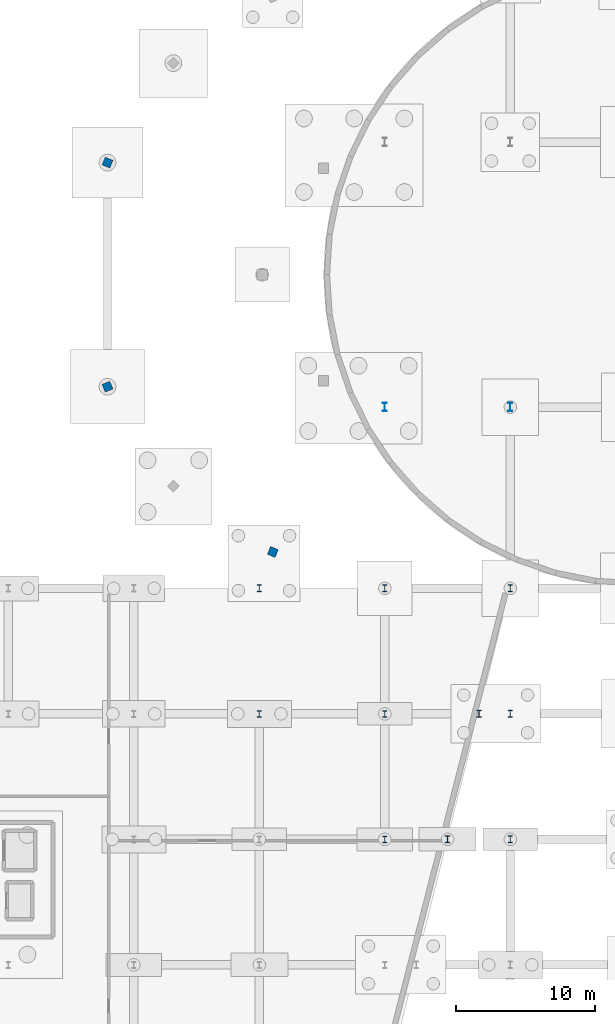
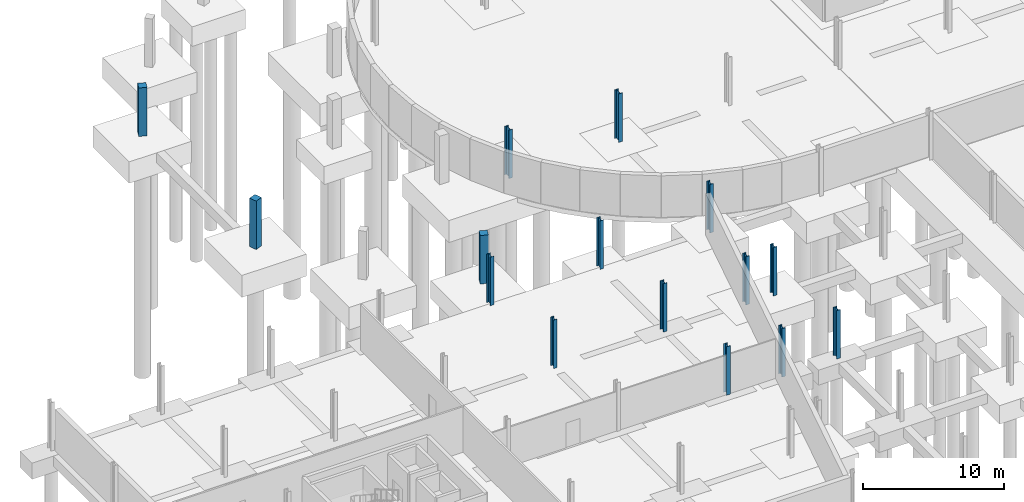
# One storey, part 18 of 42: 15 columns.
"""IFC4 building model written with IfcOpenShell, lengths in metres."""

import ifcopenshell
import ifcopenshell.guid

model = None  # the IFC model being written
_history = None  # IfcOwnerHistory: only IFC2X3 demands one
_inside = {}  # id of a spatial element -> (the spatial element, [elements in it])
_under = {}  # id of a project, library or spatial element -> (it, [spatial elements below it])
_declared = {}  # id of a project -> (the project, [libraries it declares])
_typed = {}  # id of a type object -> (the type object, [elements of that type])
_made_of = {}  # id of a material, layer set ... -> (it, [elements and type objects made of it])


def new_model(schema):
    """Start an empty IFC model of exactly this schema.

    Asked for "IFC4X3", IfcOpenShell would pick the latest addendum, in which some entities
    have other attributes; the version numbers below select the first issue.
    IFC2X3 requires an IfcOwnerHistory on every rooted entity: one is made here for all.
    """
    global model, _history
    if schema == "IFC4X3":
        model = ifcopenshell.file(schema_version=(4, 3, 0, 0))
    else:
        model = ifcopenshell.file(schema=schema)
    _inside.clear()
    _under.clear()
    _declared.clear()
    _typed.clear()
    _made_of.clear()
    _history = None
    if model.schema == "IFC2X3":
        org = make("IfcOrganization", Name="unknown")
        user = make(
            "IfcPersonAndOrganization",
            ThePerson=make("IfcPerson", FamilyName="unknown"),
            TheOrganization=org,
        )
        app = make(
            "IfcApplication",
            ApplicationDeveloper=org,
            Version="unknown",
            ApplicationFullName="unknown",
            ApplicationIdentifier="unknown",
        )
        _history = make(
            "IfcOwnerHistory",
            OwningUser=user,
            OwningApplication=app,
            ChangeAction="ADDED",
            CreationDate=0,
        )
    return model


def make(cls, **values):
    """One entity of the class cls with the attributes given. An attribute that is None is left unset."""
    return model.create_entity(
        cls, **{name: value for name, value in values.items() if value is not None}
    )


def rooted(cls, **values):
    """An entity with a GlobalId (a new one), such as an element, a storey or a relation."""
    return make(cls, GlobalId=ifcopenshell.guid.new(), OwnerHistory=_history, **values)


def si_unit(unit_type, name, prefix=None):
    """IfcSIUnit, for example si_unit("LENGTHUNIT", "METRE", prefix="MILLI")."""
    return make("IfcSIUnit", UnitType=unit_type, Prefix=prefix, Name=name)


def assignment(units):
    """IfcUnitAssignment: the units of a project."""
    return None if units is None else make("IfcUnitAssignment", Units=units)


def point(xyz):
    """IfcCartesianPoint."""
    return None if xyz is None else make("IfcCartesianPoint", Coordinates=xyz)


def direction(xyz):
    """IfcDirection."""
    return None if xyz is None else make("IfcDirection", DirectionRatios=xyz)


def frame(location, z_axis=None, x_axis=None):
    """IfcAxis2Placement3D, a coordinate frame: its origin and axes. An axis left out is left unset."""
    return make(
        "IfcAxis2Placement3D",
        Location=point(location),
        Axis=direction(z_axis),
        RefDirection=direction(x_axis),
    )


def frame_2d(location, x_axis=None):
    """IfcAxis2Placement2D, a coordinate frame in the plane: its origin and x axis."""
    return make(
        "IfcAxis2Placement2D", Location=point(location), RefDirection=direction(x_axis)
    )


def origin():
    """The frame at (0, 0, 0) with its axes left unset."""
    return frame((0.0, 0.0, 0.0))


def origin_2d():
    """The frame at (0, 0) in the plane with its x axis left unset."""
    return frame_2d((0.0, 0.0))


def place(relative_to, where):
    """IfcLocalPlacement: puts the frame where relative to a parent placement (None: the world)."""
    return make(
        "IfcLocalPlacement", PlacementRelTo=relative_to, RelativePlacement=where
    )


def context(
    kind, dimensions, precision=None, world=None, true_north=None, identifier=None
):
    """IfcGeometricRepresentationContext, for example the 3D "Model" context."""
    return make(
        "IfcGeometricRepresentationContext",
        ContextIdentifier=identifier,
        ContextType=kind,
        CoordinateSpaceDimension=dimensions,
        Precision=precision,
        WorldCoordinateSystem=world,
        TrueNorth=true_north,
    )


def subcontext(parent, identifier, kind, view, scale=None):
    """IfcGeometricRepresentationSubContext, for example "Body" below "Model"."""
    return make(
        "IfcGeometricRepresentationSubContext",
        ContextIdentifier=identifier,
        ContextType=kind,
        ParentContext=parent,
        TargetScale=scale,
        TargetView=view,
    )


def project(units=None, contexts=None):
    """IfcProject with its units and contexts."""
    return rooted(
        "IfcProject",
        Name="project",
        RepresentationContexts=contexts,
        UnitsInContext=assignment(units),
    )


def spatial(cls, under=None, at=None, **own):
    """A site, building, storey or space (cls), placed at a placement, below another one or the project."""
    s = rooted(cls, ObjectPlacement=at, **own)
    if under is not None:
        _under.setdefault(under.id(), (under, []))[1].append(s)
    return s


def profile(cls, at=None, kind="AREA", **sizes):
    """A parametric profile (cls). Its sizes go by their IFC names, for example OverallWidth=200.0."""
    return make(cls, ProfileType=kind, Position=at, **sizes)


def rectangle(**sizes):
    """IfcRectangleProfileDef."""
    return profile("IfcRectangleProfileDef", **sizes)


def i_section(**sizes):
    """IfcIShapeProfileDef."""
    return profile("IfcIShapeProfileDef", **sizes)


def extrude(swept, where, along, depth):
    """IfcExtrudedAreaSolid: the profile swept, set in the frame where, extruded along a direction by depth."""
    return make(
        "IfcExtrudedAreaSolid",
        SweptArea=swept,
        Position=where,
        ExtrudedDirection=direction(along),
        Depth=depth,
    )


def shape(context_of_items, identifier, shape_type, items):
    """IfcShapeRepresentation: the items that make up one representation, for example the "Body"."""
    return make(
        "IfcShapeRepresentation",
        ContextOfItems=context_of_items,
        RepresentationIdentifier=identifier,
        RepresentationType=shape_type,
        Items=items,
    )


def material(Name=None, Category=None):
    """IfcMaterial."""
    return make("IfcMaterial", Name=Name, Category=Category)


def material_profile(
    of_material, cross_section, Name=None, Category=None, Priority=None
):
    """IfcMaterialProfile: a cross section and its material."""
    return make(
        "IfcMaterialProfile",
        Name=Name,
        Material=of_material,
        Profile=cross_section,
        Priority=Priority,
        Category=Category,
    )


def profile_set(profiles, Name=None, composite=None):
    """IfcMaterialProfileSet."""
    return make(
        "IfcMaterialProfileSet",
        Name=Name,
        MaterialProfiles=profiles,
        CompositeProfile=composite,
    )


def made_of(thing, what):
    """Note that an element or type object is made of a material, layer set ...; save() writes the relation."""
    if what is not None:
        _made_of.setdefault(what.id(), (what, []))[1].append(thing)
    return thing


def type_object(cls, material=None, **own):
    """A type object (cls), such as IfcWallType, which elements share."""
    return made_of(rooted(cls, **own), material)


def element(
    cls,
    number,
    at=None,
    inside=None,
    cuts=None,
    type_object=None,
    material=None,
    context=None,
    identifier="Body",
    shape_type=None,
    held_by="IfcProductDefinitionShape",
    body=None,
    shapes=None,
    **own,
):
    """One element of the class cls, such as IfcWall. Its Tag is "e" and its number.

    at: its placement. inside: the storey or other place that contains it. cuts: it is an
    opening in that element (IfcRelVoidsElement). A single representation is given by context,
    identifier, shape_type and body (its items); several are given by shapes. held_by: the class
    of the entity that holds the representations. save() writes the other relations.
    """
    e = rooted(cls, Tag="e%d" % number, ObjectPlacement=at, **own)
    if body is not None:
        shapes = [shape(context, identifier, shape_type, body)]
    if shapes is not None:
        e.Representation = make(held_by, Representations=shapes)
    if inside is not None:
        _inside.setdefault(inside.id(), (inside, []))[1].append(e)
    if cuts is not None:
        rooted(
            "IfcRelVoidsElement", RelatingBuildingElement=cuts, RelatedOpeningElement=e
        )
    if type_object is not None:
        _typed.setdefault(type_object.id(), (type_object, []))[1].append(e)
    return made_of(e, material)


def aggregate(whole, parts):
    """IfcRelAggregates: a whole, such as a stair, and the parts it consists of."""
    return rooted("IfcRelAggregates", RelatingObject=whole, RelatedObjects=parts)


def save(model, path):
    """Write the relations noted so far, then the file.

    IfcRelAggregates (storeys below a building ...), IfcRelContainedInSpatialStructure (elements
    in a storey), IfcRelDefinesByType, IfcRelAssociatesMaterial and IfcRelDeclares: one each for
    every whole, place, type object, material and project.
    """
    for whole, parts in _under.values():
        aggregate(whole, parts)
    for where, things in _inside.values():
        rooted(
            "IfcRelContainedInSpatialStructure",
            RelatedElements=things,
            RelatingStructure=where,
        )
    for kind, things in _typed.values():
        rooted("IfcRelDefinesByType", RelatedObjects=things, RelatingType=kind)
    for what, things in _made_of.values():
        rooted("IfcRelAssociatesMaterial", RelatedObjects=things, RelatingMaterial=what)
    for by, libraries in _declared.values():
        rooted("IfcRelDeclares", RelatingContext=by, RelatedDefinitions=libraries)
    model.write(path)


model = new_model("IFC4")

# Units and contexts
model_context = context("Model", 3, precision=1e-05, world=origin(), true_north=direction((0.0, 1.0)))
body_context = subcontext(model_context, "Body", "Model", "MODEL_VIEW")
ifc_project = project(units=[si_unit("LENGTHUNIT", "METRE"), si_unit("AREAUNIT", "SQUARE_METRE"), si_unit("VOLUMEUNIT", "CUBIC_METRE"), si_unit("PLANEANGLEUNIT", "RADIAN"), si_unit("MASSUNIT", "GRAM", prefix="KILO")], contexts=[model_context])

# Site, building, storey
site_placement = place(None, origin())
site = spatial("IfcSite", under=ifc_project, at=site_placement, CompositionType="ELEMENT")
building_placement = place(site_placement, origin())
building = spatial("IfcBuilding", under=site, at=building_placement, Name="Deido Ridge Mobility Hub", CompositionType="ELEMENT")
storey_placement = place(building_placement, frame((0.0, 0.0, -4.199951171875)))
storey = spatial("IfcBuildingStorey", under=building, at=storey_placement, Name="B1", CompositionType="ELEMENT", Elevation=-4.199951171875)

# Columns
ifc_material_1 = material(Name="Steel S355J2 EN 10025-2", Category="steel")
ifc_material_profile_1 = material_profile(ifc_material_1, i_section(OverallWidth=0.300048828125, OverallDepth=0.449951171875, WebThickness=0.013916015625, FlangeThickness=0.02587890625, FilletRadius=0.027099609375, at=origin_2d()), Name="HEB 450")
ifc_profile_set_1 = profile_set([ifc_material_profile_1], Name="Steel S355J2 EN 10025-2")
column_type_1 = type_object("IfcColumnType", Name="COL-HEB450", PredefinedType="COLUMN", material=ifc_profile_set_1)
for number, where, z_axis, x_axis, name in (
    (1, (45.0, 63.0, 0.0), (0.0, 0.0, 1.0), (1.0, 0.0, 0.0), "Structural column C6"),
    (2, (36.0, 72.0, 0.0), (0.0, 0.0, 1.0), (1.0, 0.0, 0.0), "Structural column C6"),
    (3, (45.0, 72.0, 0.0), (0.0, 0.0, 1.0), (1.0, 0.0, 0.0), "Structural column C6"),
):
    element("IfcColumn", number, at=place(storey_placement, frame(where, z_axis=z_axis, x_axis=x_axis)), inside=storey, type_object=column_type_1, Name=name, PredefinedType="COLUMN", context=body_context, shape_type="SweptSolid", body=[
        extrude(i_section(OverallWidth=0.300048828125, OverallDepth=0.449951171875, WebThickness=0.013916015625, FlangeThickness=0.02587890625, FilletRadius=0.027099609375, at=origin_2d()), origin(), (0.0, 0.0, 1.0), 4.199951171875),
    ])
ifc_material_profile_2 = material_profile(ifc_material_1, i_section(OverallWidth=0.300048828125, OverallDepth=0.5, WebThickness=0.014404296875, FlangeThickness=0.028076171875, FilletRadius=0.027099609375, at=origin_2d()), Name="HEB 500")
ifc_profile_set_2 = profile_set([ifc_material_profile_2], Name="Steel S355J2 EN 10025-2")
column_type_2 = type_object("IfcColumnType", Name="COL-HEB500", PredefinedType="COLUMN", material=ifc_profile_set_2)
for number, where, z_axis, x_axis, name in (
    (4, (49.5, 63.0, 0.0), (0.0, 0.0, 1.0), (1.0, 0.0, 0.0), "Structural column C5"),
    (5, (51.75, 72.0, 0.0), (0.0, 0.0, 1.0), (1.0, 0.0, 0.0), "Structural column C5"),
    (6, (36.0, 81.0, 0.0), (0.0, 0.0, 1.0), (1.0, 0.0, 0.0), "Structural column C5"),
    (7, (45.0, 81.0, 0.0), (0.0, 0.0, 1.0), (1.0, 0.0, 0.0), "Structural column C5"),
    (8, (54.0, 81.0, 0.0), (0.0, 0.0, 1.0), (1.0, 0.0, 0.0), "Structural column C5"),
    (9, (54.0, 63.0, 0.0), (0.0, 0.0, 1.0), (1.0, 0.0, 0.0), "Structural column C5"),
    (10, (54.0, 72.0, 0.0), (0.0, 0.0, 1.0), (1.0, 0.0, 0.0), "Structural column C5"),
):
    element("IfcColumn", number, at=place(storey_placement, frame(where, z_axis=z_axis, x_axis=x_axis)), inside=storey, type_object=column_type_2, Name=name, PredefinedType="COLUMN", context=body_context, shape_type="SweptSolid", body=[
        extrude(i_section(OverallWidth=0.300048828125, OverallDepth=0.5, WebThickness=0.014404296875, FlangeThickness=0.028076171875, FilletRadius=0.027099609375, at=origin_2d()), origin(), (0.0, 0.0, 1.0), 4.199951171875),
    ])
ifc_material_profile_3 = material_profile(ifc_material_1, i_section(OverallWidth=0.300048828125, OverallDepth=0.60009765625, WebThickness=0.015380859375, FlangeThickness=0.030029296875, FilletRadius=0.027099609375, at=origin_2d()), Name="HEB 600")
ifc_profile_set_3 = profile_set([ifc_material_profile_3], Name="Steel S355J2 EN 10025-2")
column_type_3 = type_object("IfcColumnType", Name="COL-HEB600", PredefinedType="COLUMN", material=ifc_profile_set_3)
for number, where, z_axis, x_axis, name in (
    (11, (45.0, 94.0, 0.0), (0.0, 0.0, 1.0), (1.0, 0.0, 0.0), "Structural column C4"),
    (12, (54.0, 94.0, 0.0), (0.0, 0.0, 1.0), (1.0, 0.0, 0.0), "Structural column C4"),
):
    element("IfcColumn", number, at=place(storey_placement, frame(where, z_axis=z_axis, x_axis=x_axis)), inside=storey, type_object=column_type_3, Name=name, PredefinedType="COLUMN", context=body_context, shape_type="SweptSolid", body=[
        extrude(i_section(OverallWidth=0.300048828125, OverallDepth=0.60009765625, WebThickness=0.015380859375, FlangeThickness=0.030029296875, FilletRadius=0.027099609375, at=origin_2d()), origin(), (0.0, 0.0, 1.0), 4.199951171875),
    ])
ifc_material_2 = material(Name="Concrete C40/50", Category="concrete")
ifc_material_profile_4 = material_profile(ifc_material_2, rectangle(XDim=0.60009765625, YDim=0.60009765625, at=origin_2d()), Name="RC COL 600x600")
ifc_profile_set_4 = profile_set([ifc_material_profile_4], Name="Concrete C40/50")
column_type_4 = type_object("IfcColumnType", Name="COL-RC600", PredefinedType="COLUMN", material=ifc_profile_set_4)
for number, where, z_axis, x_axis, name in (
    (13, (25.11181640625, 111.535400390625, 0.0), (0.0, 0.0, 1.0), (-0.927183854567, 0.374606593416, 0.0), "Structural column RC2"),
    (14, (25.11181640625, 95.464599609375, 0.0), (0.0, 0.0, 1.0), (-0.927183854567, -0.374606593416, 0.0), "Structural column RC2"),
    (15, (36.964599609375, 83.61181640625, 0.0), (0.0, 0.0, 1.0), (-0.374606593416, -0.927183854567, 0.0), "Structural column RC2"),
):
    element("IfcColumn", number, at=place(storey_placement, frame(where, z_axis=z_axis, x_axis=x_axis)), inside=storey, type_object=column_type_4, Name=name, PredefinedType="COLUMN", context=body_context, shape_type="SweptSolid", body=[
        extrude(rectangle(XDim=0.60009765625, YDim=0.60009765625, at=origin_2d()), origin(), (0.0, 0.0, 1.0), 4.199951171875),
    ])

save(model, "model.ifc")
